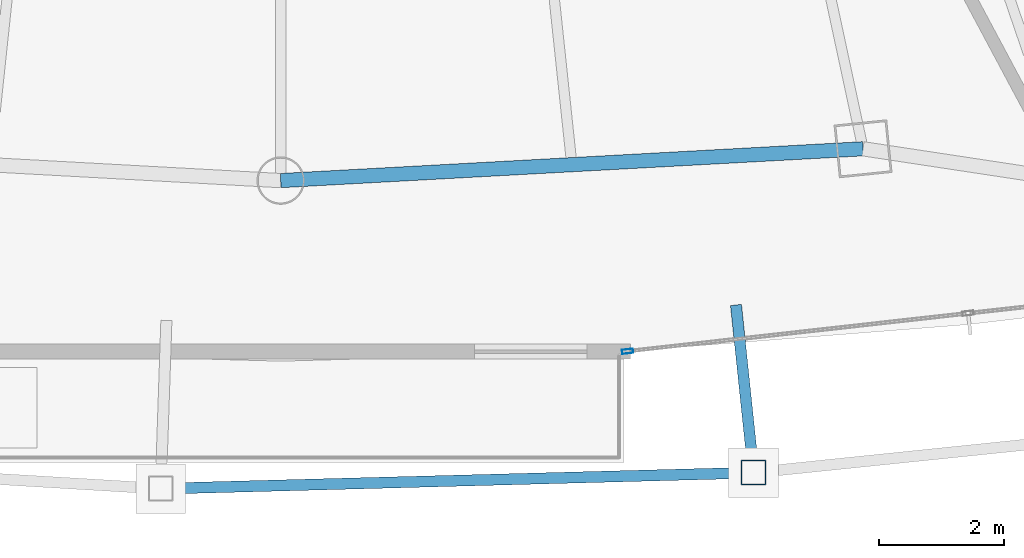
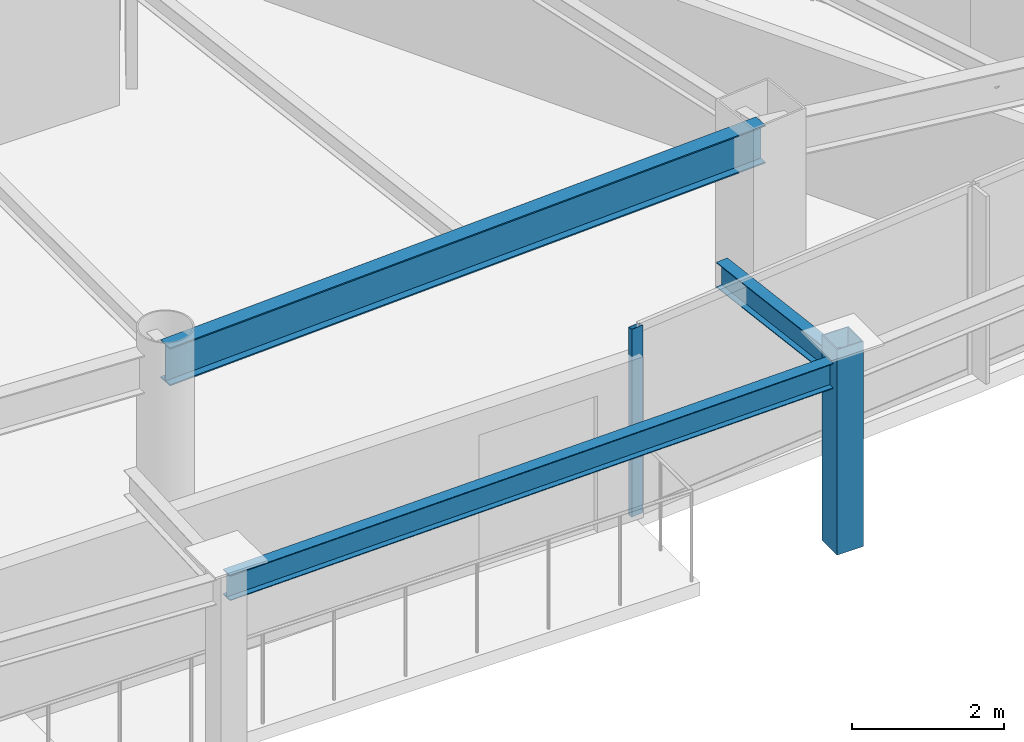
# One storey, part 8 of 31: 3 beams, 2 members, 1 element without a shape of its own.
"""IFC4 building model written with IfcOpenShell, lengths in metres."""

from ifc_helpers import new_model, si_unit, direction, frame, origin, origin_2d, place, context, subcontext, project, spatial, hollow_rectangle, i_section, extrude, material, layer, layer_set, material_profile, profile_set, type_object, element, aggregate, save


model = new_model("IFC4")

# Units and contexts
model_context = context("Model", 3, precision=1e-05, world=origin(), true_north=direction((0.0, 1.0)))
body_context = subcontext(model_context, "Body", "Model", "MODEL_VIEW")
ifc_project = project(units=[si_unit("LENGTHUNIT", "METRE"), si_unit("AREAUNIT", "SQUARE_METRE"), si_unit("VOLUMEUNIT", "CUBIC_METRE"), si_unit("PLANEANGLEUNIT", "RADIAN"), si_unit("MASSUNIT", "GRAM", prefix="KILO")], contexts=[model_context])

# Site, building, storey
site_placement = place(None, origin())
site = spatial("IfcSite", under=ifc_project, at=site_placement, CompositionType="ELEMENT")
building_placement = place(site_placement, origin())
building = spatial("IfcBuilding", under=site, at=building_placement, Name="Orvanel Arch Residences", CompositionType="ELEMENT")
storey_placement = place(building_placement, frame((0.0, 0.0, 183.64990234375)))
storey = spatial("IfcBuildingStorey", under=building, at=storey_placement, Name="L52", CompositionType="ELEMENT", Elevation=183.64990234375)

# Curtain wall, member
ifc_material_1 = material(Name="Bronze-anodised aluminium AA6063-T6", Category="aluminium")
ifc_layer = layer(ifc_material_1, 0.179931640625)
ifc_layer_set = layer_set([ifc_layer], Name="Bronze-anodised aluminium AA6063-T6")
curtain_wall_type = type_object("IfcCurtainWallType", Name="CW3-MID-SYS", PredefinedType="NOTDEFINED", material=ifc_layer_set)
curtain_wall_placement = place(storey_placement, origin())
curtain_wall = element("IfcCurtainWall", 1, at=curtain_wall_placement, inside=storey, type_object=curtain_wall_type, Name="L52 CW3-MID-SYS Unitised Curtain Wall", PredefinedType="NOTDEFINED")
ifc_material_profile_1 = material_profile(ifc_material_1, hollow_rectangle(XDim=0.070068359375, YDim=0.179931640625, WallThickness=0.00439453125, at=origin_2d()), Name="ALU180x70x4.5")
ifc_profile_set_1 = profile_set([ifc_material_profile_1], Name="Bronze-anodised aluminium AA6063-T6")
member_type_1 = type_object("IfcMemberType", Name="MUL-180x70", PredefinedType="MULLION", material=ifc_profile_set_1)
member_1_placement = place(storey_placement, frame((38.57080078125, 4.102783203125, 0.0), z_axis=(0.0, 0.0, 1.0), x_axis=(-0.111079078463, 0.993811570836, 0.0)))
member_1 = element("IfcMember", 2, at=member_1_placement, type_object=member_type_1, Name="CW-S3 mullion 1", PredefinedType="MULLION", context=body_context, shape_type="SweptSolid", body=[
    extrude(hollow_rectangle(XDim=0.070068359375, YDim=0.179931640625, WallThickness=0.00439453125, at=origin_2d()), origin(), (0.0, 0.0, 1.0), 3.02001953125),
])
aggregate(curtain_wall, [member_1])

# Beams
ifc_material_2 = material(Name="Structural steel AS/NZS 3679.1 Grade 300 (300 MPa)", Category="steel")
ifc_material_profile_2 = material_profile(ifc_material_2, i_section(OverallWidth=0.177978515625, OverallDepth=0.406005859375, WebThickness=0.0078125, FlangeThickness=0.0126953125, at=origin_2d()), Name="410UB59.7")
ifc_profile_set_2 = profile_set([ifc_material_profile_2], Name="Structural steel AS/NZS 3679.1 Grade 300 (300 MPa)")
beam_type_1 = type_object("IfcBeamType", Name="OB-410UB-EXT", PredefinedType="SPANDREL", material=ifc_profile_set_2)
beam_1_placement = place(storey_placement, frame((31.073974609375, 1.89697265625, 2.817138671875), z_axis=(0.999635587112, 0.026994313823, 0.0), x_axis=(-0.026994313823, 0.999635587112, 0.0)))
element("IfcBeam", 3, at=beam_1_placement, inside=storey, type_object=beam_type_1, Name="L52 Outer Perimeter Floor Ring Beam 06", PredefinedType="SPANDREL", context=body_context, shape_type="SweptSolid", body=[
    extrude(i_section(OverallWidth=0.177978515625, OverallDepth=0.406005859375, WebThickness=0.0078125, FlangeThickness=0.0126953125, at=origin_2d()), origin(), (0.0, 0.0, 1.0), 9.5234375),
])
beam_2_placement = place(storey_placement, frame((40.31103515625, 4.846923828125, 2.817138671875), z_axis=(0.104501734568, -0.994524704305, 0.0), x_axis=(0.994524704305, 0.104501734568, 0.0)))
element("IfcBeam", 4, at=beam_2_placement, inside=storey, type_object=beam_type_1, Name="L52 Outer Frame Radial Tie Beam 07", PredefinedType="SPANDREL", context=body_context, shape_type="SweptSolid", body=[
    extrude(i_section(OverallWidth=0.177978515625, OverallDepth=0.406005859375, WebThickness=0.0078125, FlangeThickness=0.0126953125, at=origin_2d()), origin(), (0.0, 0.0, 1.0), 2.707763671875),
])
ifc_material_profile_3 = material_profile(ifc_material_2, i_section(OverallWidth=0.22900390625, OverallDepth=0.612060546875, WebThickness=0.011962890625, FlangeThickness=0.01953125, at=origin_2d()), Name="610UB125")
ifc_profile_set_3 = profile_set([ifc_material_profile_3], Name="Structural steel AS/NZS 3679.1 Grade 300 (300 MPa)")
beam_type_2 = type_object("IfcBeamType", Name="SP-610UB", PredefinedType="SPANDREL", material=ifc_profile_set_3)
beam_3_placement = place(storey_placement, frame((33.0, 6.843994140625, 2.714111328125), z_axis=(0.998510315598, 0.054563262768, 0.0), x_axis=(-0.054563262768, 0.998510315598, 0.0)))
element("IfcBeam", 5, at=beam_3_placement, inside=storey, type_object=beam_type_2, Name="L52 Perimeter Spandrel Beam 06", PredefinedType="SPANDREL", context=body_context, shape_type="SweptSolid", body=[
    extrude(i_section(OverallWidth=0.22900390625, OverallDepth=0.612060546875, WebThickness=0.011962890625, FlangeThickness=0.01953125, at=origin_2d()), origin(), (0.0, 0.0, 1.0), 9.364990234375),
])

# Member
ifc_material_3 = material(Name="Structural steel AS/NZS 1163 C450L0 (Grade 450)", Category="steel")
ifc_material_profile_4 = material_profile(ifc_material_3, hollow_rectangle(XDim=0.39990234375, YDim=0.39990234375, WallThickness=0.01611328125, at=origin_2d()), Name="SHS400x400x16")
ifc_profile_set_4 = profile_set([ifc_material_profile_4], Name="Structural steel AS/NZS 1163 C450L0 (Grade 450)")
member_type_2 = type_object("IfcMemberType", Name="ST-400SHS-EXT", PredefinedType="STRUT", material=ifc_profile_set_4)
member_2_placement = place(storey_placement, frame((40.593994140625, 2.154052734375, 0.0), z_axis=(0.0, 0.0, 1.0), x_axis=(1.0, 0.0, 0.0)))
element("IfcMember", 6, at=member_2_placement, inside=storey, type_object=member_type_2, Name="L52 Outer Perimeter Frame Post 07", PredefinedType="STRUT", context=body_context, shape_type="SweptSolid", body=[
    extrude(hollow_rectangle(XDim=0.39990234375, YDim=0.39990234375, WallThickness=0.01611328125, at=origin_2d()), origin(), (0.0, 0.0, 1.0), 3.300048828125),
])

save(model, "model.ifc")
